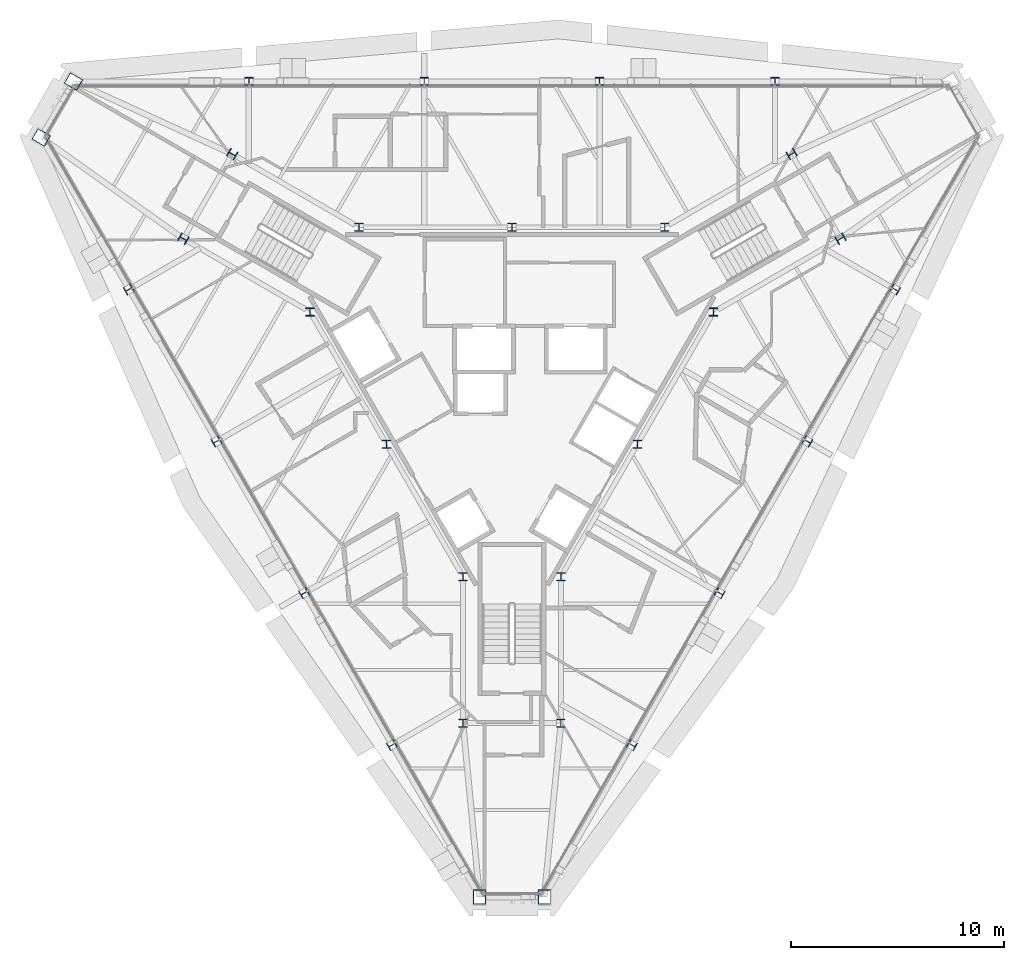
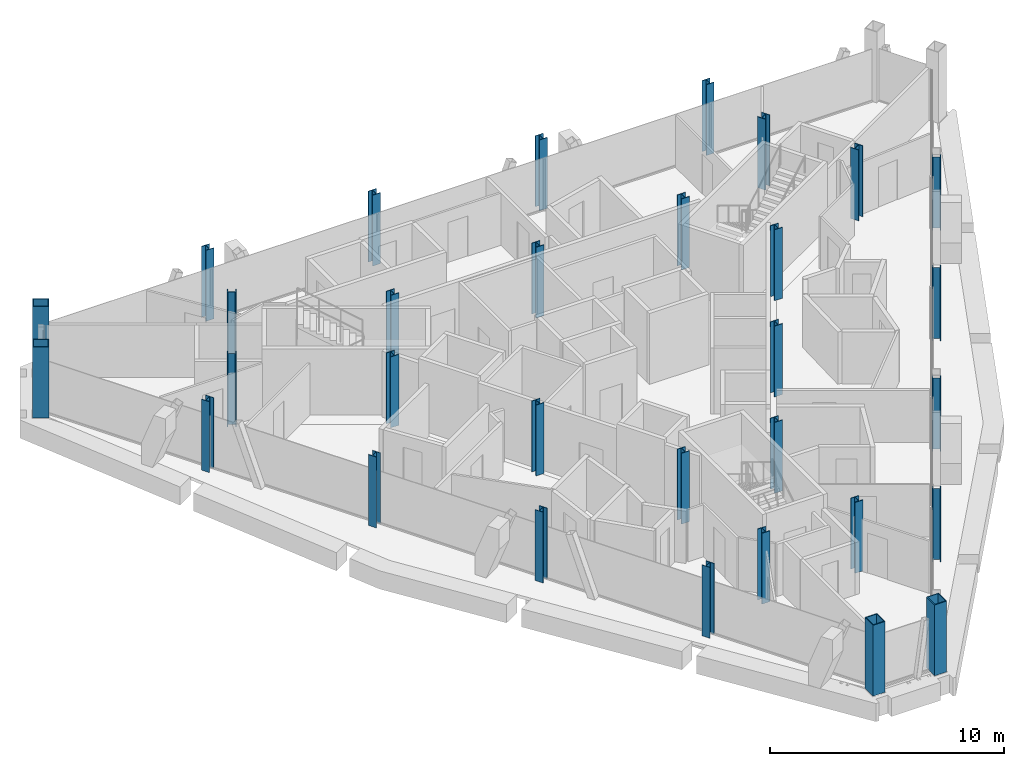
# One storey, part 1 of 13: 31 columns.
"""IFC4 building model written with IfcOpenShell, lengths in metres."""

from ifc_helpers import new_model, si_unit, direction, frame, origin, origin_2d, place, context, subcontext, project, spatial, hollow_rectangle, i_section, extrude, material, material_profile, profile_set, type_object, element, save


model = new_model("IFC4")

# Units and contexts
model_context = context("Model", 3, precision=1e-05, world=origin(), true_north=direction((0.0, 1.0)))
body_context = subcontext(model_context, "Body", "Model", "MODEL_VIEW")
ifc_project = project(units=[si_unit("LENGTHUNIT", "METRE"), si_unit("AREAUNIT", "SQUARE_METRE"), si_unit("VOLUMEUNIT", "CUBIC_METRE"), si_unit("PLANEANGLEUNIT", "RADIAN"), si_unit("MASSUNIT", "GRAM", prefix="KILO")], contexts=[model_context])

# Site, building, storey
site_placement = place(None, origin())
site = spatial("IfcSite", under=ifc_project, at=site_placement, CompositionType="ELEMENT")
building_placement = place(site_placement, origin())
building = spatial("IfcBuilding", under=site, at=building_placement, Name="Verrane Prism Tower", CompositionType="ELEMENT")
storey_placement = place(building_placement, frame((0.0, 0.0, 278.800048828125)))
storey = spatial("IfcBuildingStorey", under=building, at=storey_placement, Name="L70", CompositionType="ELEMENT", Elevation=278.800048828125)

# Columns
ifc_material_1 = material(Name="Steel A992", Category="steel")
ifc_material_profile_1 = material_profile(ifc_material_1, i_section(OverallWidth=0.4013671875, OverallDepth=0.398681640625, WebThickness=0.02490234375, FlangeThickness=0.03955078125, FilletRadius=0.01513671875, at=origin_2d()), Name="W14x211")
ifc_profile_set_1 = profile_set([ifc_material_profile_1], Name="Steel A992")
column_type_1 = type_object("IfcColumnType", Name="Core corner column W14x211", PredefinedType="COLUMN", material=ifc_profile_set_1)
for number, where, z_axis, x_axis, name in (
    (1, (15.43994140625, 6.260009765625, 0.0), (0.0, 0.0, 1.0), (0.5, -0.866025403784, 0.0), "Core corner column CK-NEm L70"),
    (2, (13.139892578125, 10.239990234375, 0.0), (0.0, 0.0, 1.0), (0.5, -0.866025403784, 0.0), "Core corner column CK-NEp L70"),
    (3, (-13.139892578125, 10.239990234375, 0.0), (0.0, 0.0, 1.0), (0.5, 0.866025403784, 0.0), "Core corner column CK-NWm L70"),
    (4, (-15.43994140625, 6.260009765625, 0.0), (0.0, 0.0, 1.0), (0.5, 0.866025403784, 0.0), "Core corner column CK-NWp L70"),
    (5, (-2.300048828125, -16.5, 0.0), (0.0, 0.0, 1.0), (-1.0, 0.0, 0.0), "Core corner column CK-Sm L70"),
    (6, (2.300048828125, -16.5, 0.0), (0.0, 0.0, 1.0), (-1.0, 0.0, 0.0), "Core corner column CK-Sp L70"),
):
    element("IfcColumn", number, at=place(storey_placement, frame(where, z_axis=z_axis, x_axis=x_axis)), inside=storey, type_object=column_type_1, Name=name, PredefinedType="COLUMN", context=body_context, shape_type="SweptSolid", body=[
        extrude(i_section(OverallWidth=0.4013671875, OverallDepth=0.398681640625, WebThickness=0.02490234375, FlangeThickness=0.03955078125, FilletRadius=0.01513671875, at=origin_2d()), origin(), (0.0, 0.0, 1.0), 3.699951171875),
    ])
ifc_material_2 = material(Name="Steel A992", Category="steel")
ifc_material_profile_2 = material_profile(ifc_material_2, i_section(OverallWidth=0.398681640625, OverallDepth=0.385986328125, WebThickness=0.02099609375, FlangeThickness=0.033203125, FilletRadius=0.01513671875, at=origin_2d()), Name="W14x176")
ifc_profile_set_2 = profile_set([ifc_material_profile_2], Name="Steel A992")
column_type_2 = type_object("IfcColumnType", Name="Core side column W14x176", PredefinedType="COLUMN", material=ifc_profile_set_2)
for number, where, z_axis, x_axis, name in (
    (7, (9.47998046875, 2.820068359375, 0.0), (0.0, 0.0, 1.0), (1.0, 0.0, 0.0), "Core side column CC-NEm L70"),
    (8, (7.179931640625, 6.800048828125, 0.0), (0.0, 0.0, 1.0), (1.0, 0.0, 0.0), "Core side column CC-NEp L70"),
    (9, (0.0, 6.800048828125, 0.0), (0.0, 0.0, 1.0), (1.0, 0.0, 0.0), "Core side column CC-N0 L70"),
    (10, (-7.179931640625, 6.800048828125, 0.0), (0.0, 0.0, 1.0), (1.0, 0.0, 0.0), "Core side column CC-NWm L70"),
    (11, (-9.47998046875, 2.820068359375, 0.0), (0.0, 0.0, 1.0), (1.0, 0.0, 0.0), "Core side column CC-NWp L70"),
    (12, (-5.889892578125, -3.39990234375, 0.0), (0.0, 0.0, 1.0), (1.0, 0.0, 0.0), "Core side column CC-SW0 L70"),
    (13, (-2.300048828125, -9.6201171875, 0.0), (0.0, 0.0, 1.0), (1.0, 0.0, 0.0), "Core side column CC-Sm L70"),
    (14, (2.300048828125, -9.6201171875, 0.0), (0.0, 0.0, 1.0), (1.0, 0.0, 0.0), "Core side column CC-Sp L70"),
    (15, (5.889892578125, -3.39990234375, 0.0), (0.0, 0.0, 1.0), (1.0, 0.0, 0.0), "Core side column CC-SE0 L70"),
):
    element("IfcColumn", number, at=place(storey_placement, frame(where, z_axis=z_axis, x_axis=x_axis)), inside=storey, type_object=column_type_2, Name=name, PredefinedType="COLUMN", context=body_context, shape_type="SweptSolid", body=[
        extrude(i_section(OverallWidth=0.398681640625, OverallDepth=0.385986328125, WebThickness=0.02099609375, FlangeThickness=0.033203125, FilletRadius=0.01513671875, at=origin_2d()), origin(), (0.0, 0.0, 1.0), 3.699951171875),
    ])
ifc_material_3 = material(Name="Steel A572 Grade 50", Category="steel")
ifc_material_profile_3 = material_profile(ifc_material_3, hollow_rectangle(XDim=0.60009765625, YDim=0.699951171875, WallThickness=0.0400390625, at=origin_2d()), Name="BOX 700x600x40")
ifc_profile_set_3 = profile_set([ifc_material_profile_3], Name="Steel A572 Grade 50")
column_type_3 = type_object("IfcColumnType", Name="Megacolumn BOX 700x600x40", PredefinedType="COLUMN", material=ifc_profile_set_3)
for number, where, z_axis, x_axis, name in (
    (16, (-20.60009765625, 13.64990234375, 0.0), (0.0, 0.0, 1.0), (0.5, 0.866025403784, 0.0), "Megacolumn MC-NW.a L70"),
    (17, (-22.1201171875, 11.02001953125, 0.0), (0.0, 0.0, 1.0), (0.5, 0.866025403784, 0.0), "Megacolumn MC-NW.b L70"),
    (18, (-1.52001953125, -24.669921875, 0.0), (0.0, 0.0, 1.0), (-1.0, 0.0, 0.0), "Megacolumn MC-S.a L70"),
    (19, (1.52001953125, -24.669921875, 0.0), (0.0, 0.0, 1.0), (-1.0, 0.0, 0.0), "Megacolumn MC-S.b L70"),
):
    element("IfcColumn", number, at=place(storey_placement, frame(where, z_axis=z_axis, x_axis=x_axis)), inside=storey, type_object=column_type_3, Name=name, PredefinedType="COLUMN", context=body_context, shape_type="SweptSolid", body=[
        extrude(hollow_rectangle(XDim=0.60009765625, YDim=0.699951171875, WallThickness=0.0400390625, at=origin_2d()), origin(), (0.0, 0.0, 1.0), 3.699951171875),
    ])
ifc_material_4 = material(Name="Steel A992", Category="steel")
ifc_material_profile_4 = material_profile(ifc_material_4, i_section(OverallWidth=0.393798828125, OverallDepth=0.3759765625, WebThickness=0.017333984375, FlangeThickness=0.027587890625, FilletRadius=0.01513671875, at=origin_2d()), Name="W14x145")
ifc_profile_set_4 = profile_set([ifc_material_profile_4], Name="Steel A992")
column_type_4 = type_object("IfcColumnType", Name="Perimeter column W14x145", PredefinedType="COLUMN", material=ifc_profile_set_4)
for number, where, z_axis, x_axis, name in (
    (20, (12.360107421875, 13.64990234375, 0.0), (0.0, 0.0, 1.0), (1.0, 0.0, 0.0), "Perimeter column PC-N1 L70"),
    (21, (4.1201171875, 13.64990234375, 0.0), (0.0, 0.0, 1.0), (1.0, 0.0, 0.0), "Perimeter column PC-N2 L70"),
    (22, (-4.1201171875, 13.64990234375, 0.0), (0.0, 0.0, 1.0), (1.0, 0.0, 0.0), "Perimeter column PC-N3 L70"),
    (23, (-12.360107421875, 13.64990234375, 0.0), (0.0, 0.0, 1.0), (1.0, 0.0, 0.0), "Perimeter column PC-N4 L70"),
    (24, (-18.0, 3.8798828125, 0.0), (0.0, 0.0, 1.0), (-0.5, 0.866025403784, 0.0), "Perimeter column PC-SW1 L70"),
    (25, (-13.8798828125, -3.260009765625, 0.0), (0.0, 0.0, 1.0), (-0.5, 0.866025403784, 0.0), "Perimeter column PC-SW2 L70"),
    (26, (-9.760009765625, -10.389892578125, 0.0), (0.0, 0.0, 1.0), (-0.5, 0.866025403784, 0.0), "Perimeter column PC-SW3 L70"),
    (27, (-5.639892578125, -17.530029296875, 0.0), (0.0, 0.0, 1.0), (-0.5, 0.866025403784, 0.0), "Perimeter column PC-SW4 L70"),
    (28, (5.639892578125, -17.530029296875, 0.0), (0.0, 0.0, 1.0), (-0.5, -0.866025403784, 0.0), "Perimeter column PC-SE1 L70"),
    (29, (9.760009765625, -10.389892578125, 0.0), (0.0, 0.0, 1.0), (-0.5, -0.866025403784, 0.0), "Perimeter column PC-SE2 L70"),
    (30, (13.8798828125, -3.260009765625, 0.0), (0.0, 0.0, 1.0), (-0.5, -0.866025403784, 0.0), "Perimeter column PC-SE3 L70"),
    (31, (18.0, 3.8798828125, 0.0), (0.0, 0.0, 1.0), (-0.5, -0.866025403784, 0.0), "Perimeter column PC-SE4 L70"),
):
    element("IfcColumn", number, at=place(storey_placement, frame(where, z_axis=z_axis, x_axis=x_axis)), inside=storey, type_object=column_type_4, Name=name, PredefinedType="COLUMN", context=body_context, shape_type="SweptSolid", body=[
        extrude(i_section(OverallWidth=0.393798828125, OverallDepth=0.3759765625, WebThickness=0.017333984375, FlangeThickness=0.027587890625, FilletRadius=0.01513671875, at=origin_2d()), origin(), (0.0, 0.0, 1.0), 3.699951171875),
    ])

save(model, "model.ifc")
